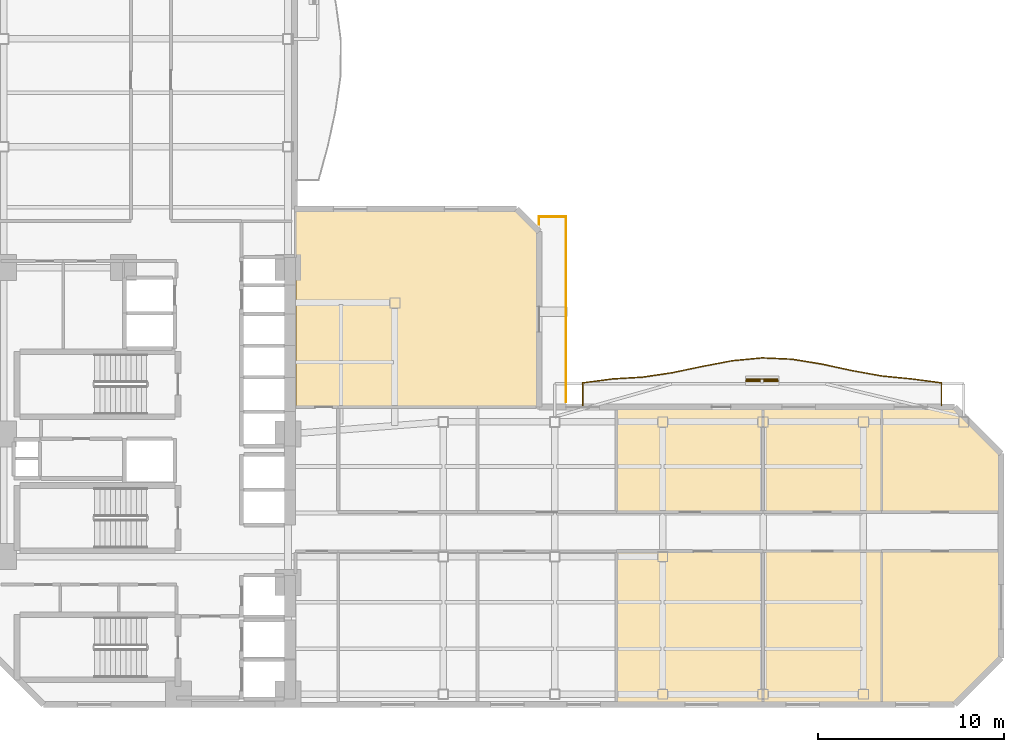
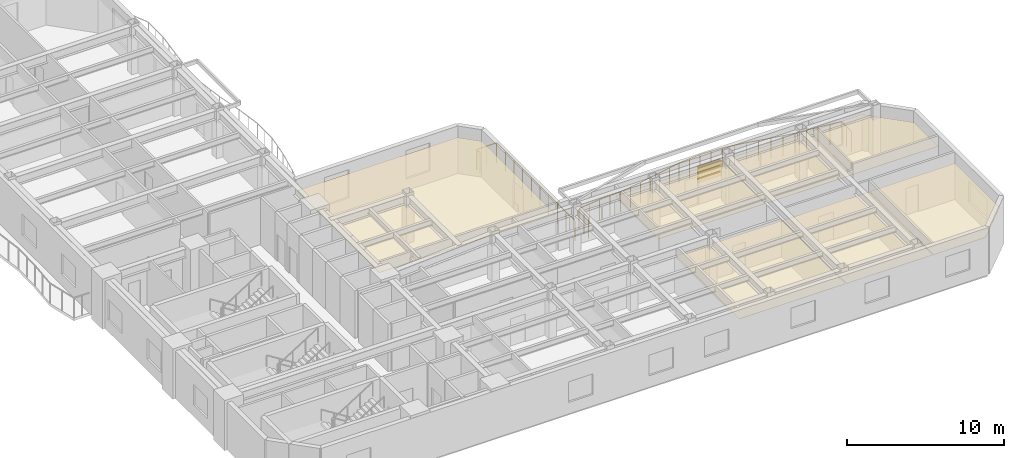
# One storey, part 9 of 10: 7 coverings, 4 railings, 4 shading devices.
"""IFC4 building model written with IfcOpenShell, lengths in metres."""

from ifc_helpers import new_model, si_unit, direction, frame, origin, origin_2d, place, context, subcontext, project, spatial, polyline, rectangle, outline, extrude, material, layer, layer_set, material_profile, profile_set, type_object, element, save


model = new_model("IFC4")

# Units and contexts
model_context = context("Model", 3, precision=1e-05, world=origin(), true_north=direction((0.0, 1.0)))
body_context = subcontext(model_context, "Body", "Model", "MODEL_VIEW")
ifc_project = project(units=[si_unit("LENGTHUNIT", "METRE"), si_unit("AREAUNIT", "SQUARE_METRE"), si_unit("VOLUMEUNIT", "CUBIC_METRE"), si_unit("PLANEANGLEUNIT", "RADIAN"), si_unit("MASSUNIT", "GRAM", prefix="KILO")], contexts=[model_context])

# Site, building, storey
site_placement = place(None, origin())
site = spatial("IfcSite", under=ifc_project, at=site_placement, CompositionType="ELEMENT")
building_placement = place(site_placement, origin())
building = spatial("IfcBuilding", under=site, at=building_placement, Name="Mawjaban Terraces University", CompositionType="ELEMENT")
storey_placement = place(building_placement, frame((0.0, 0.0, 62.199951171875)))
storey = spatial("IfcBuildingStorey", under=building, at=storey_placement, Name="L14", CompositionType="ELEMENT", Elevation=62.199951171875)

# Coverings
ifc_material_1 = material(Name="Acoustic mineral fibre ceiling tile", Category="masonry")
ifc_layer_1 = layer(ifc_material_1, 0.02001953125)
ifc_layer_set_1 = layer_set([ifc_layer_1], Name="Acoustic mineral fibre ceiling tile")
covering_type = type_object("IfcCoveringType", Name="AcousticMineralCeiling_20", PredefinedType="CEILING", material=ifc_layer_set_1)
covering_1_placement = place(storey_placement, frame((0.0, 0.0, 2.75)))
element("IfcCovering", 1, at=covering_1_placement, inside=storey, type_object=covering_type, Name="L14 Design Studio 6 Acoustic Ceiling", PredefinedType="CEILING", context=body_context, shape_type="SweptSolid", body=[
    extrude(outline(polyline([(55.35302734375, 0.114990234375), (63.169921875, 0.114990234375), (63.169921875, 8.219970703125), (55.35302734375, 8.219970703125), (55.35302734375, 0.114990234375)])), origin(), (0.0, 0.0, 1.0), 0.02001953125),
])
covering_2_placement = place(storey_placement, frame((0.0, 0.0, 2.75)))
element("IfcCovering", 2, at=covering_2_placement, inside=storey, type_object=covering_type, Name="L14 Computational Laboratory 7 Acoustic Ceiling", PredefinedType="CEILING", context=body_context, shape_type="SweptSolid", body=[
    extrude(outline(polyline([(63.169921875, 15.885009765625), (55.35302734375, 15.885009765625), (55.35302734375, 10.3798828125), (63.169921875, 10.3798828125), (63.169921875, 15.885009765625)])), origin(), (0.0, 0.0, 1.0), 0.02001953125),
])
covering_3_placement = place(storey_placement, frame((0.0, 0.0, 2.75)))
element("IfcCovering", 3, at=covering_3_placement, inside=storey, type_object=covering_type, Name="L14 Teaching Laboratory 8 Acoustic Ceiling", PredefinedType="CEILING", context=body_context, shape_type="SweptSolid", body=[
    extrude(outline(polyline([(63.22998046875, 0.114990234375), (69.552978515625, 0.114990234375), (69.552978515625, 8.219970703125), (63.22998046875, 8.219970703125), (63.22998046875, 0.114990234375)])), origin(), (0.0, 0.0, 1.0), 0.02001953125),
])
covering_4_placement = place(storey_placement, frame((0.0, 0.0, 2.75)))
element("IfcCovering", 4, at=covering_4_placement, inside=storey, type_object=covering_type, Name="L14 Student Tea Pantry 9 Acoustic Ceiling", PredefinedType="CEILING", context=body_context, shape_type="SweptSolid", body=[
    extrude(outline(polyline([(69.552978515625, 15.885009765625), (63.22998046875, 15.885009765625), (63.22998046875, 10.3798828125), (69.552978515625, 10.3798828125), (69.552978515625, 15.885009765625)])), origin(), (0.0, 0.0, 1.0), 0.02001953125),
])
covering_5_placement = place(storey_placement, frame((0.0, 0.0, 2.75)))
element("IfcCovering", 5, at=covering_5_placement, inside=storey, type_object=covering_type, Name="L14 Student Tea Pantry 10 Acoustic Ceiling", PredefinedType="CEILING", context=body_context, shape_type="SweptSolid", body=[
    extrude(outline(polyline([(69.613037109375, 0.114990234375), (73.452880859375, 0.114990234375), (75.885009765625, 2.547119140625), (75.885009765625, 8.219970703125), (69.613037109375, 8.219970703125), (69.613037109375, 0.114990234375)])), origin(), (0.0, 0.0, 1.0), 0.02001953125),
])
covering_6_placement = place(storey_placement, frame((0.0, 0.0, 2.75)))
element("IfcCovering", 6, at=covering_6_placement, inside=storey, type_object=covering_type, Name="L14 Faculty Office 11 Acoustic Ceiling", PredefinedType="CEILING", context=body_context, shape_type="SweptSolid", body=[
    extrude(outline(polyline([(75.885009765625, 10.3798828125), (75.885009765625, 13.452880859375), (73.452880859375, 15.885009765625), (69.613037109375, 15.885009765625), (69.613037109375, 10.3798828125), (75.885009765625, 10.3798828125)])), origin(), (0.0, 0.0, 1.0), 0.02001953125),
])
covering_7_placement = place(storey_placement, frame((0.0, 0.0, 2.75)))
element("IfcCovering", 7, at=covering_7_placement, inside=storey, type_object=covering_type, Name="L14 Terrace Collaborative Study Room Acoustic Ceiling", PredefinedType="CEILING", context=body_context, shape_type="SweptSolid", body=[
    extrude(outline(polyline([(51.034912109375, 16.030029296875), (51.034912109375, 25.39501953125), (49.903076171875, 26.527099609375), (38.080078125, 26.527099609375), (38.080078125, 16.030029296875), (51.034912109375, 16.030029296875)])), origin(), (0.0, 0.0, 1.0), 0.02001953125),
])

# Railings
ifc_material_2 = material(Name="Galvanised powder-coated steel S355", Category="steel")
railing_type = type_object("IfcRailingType", Name="BalconyBalustrade_1600", PredefinedType="BALUSTRADE", material=ifc_material_2)
railing_1_placement = place(storey_placement, frame((53.5, 16.080078125, 0.0)))
element("IfcRailing", 8, at=railing_1_placement, inside=storey, type_object=railing_type, Name="L14 Balcony Guardrail inner_north", PredefinedType="BALUSTRADE", context=body_context, shape_type="SweptSolid", body=[
    extrude(rectangle(XDim=0.048095703125, YDim=0.048095703125, at=origin_2d()), frame((0.0, 0.0, 1.576171875), z_axis=(0.0, 1.0, 0.0), x_axis=(-1.0, 0.0, 0.0)), (0.0, 0.0, 1.0), 1.219970703125),
    extrude(rectangle(XDim=0.048095703125, YDim=0.048095703125, at=origin_2d()), frame((0.0, 1.219970703125, 1.576171875), z_axis=(0.991269914877, 0.131848230403, 0.0), x_axis=(-0.131848230403, 0.991269914877, 0.0)), (0.0, 0.0, 1.0), 1.6220703125),
    extrude(rectangle(XDim=0.048095703125, YDim=0.048095703125, at=origin_2d()), frame((1.60791015625, 1.433837890625, 1.576171875), z_axis=(0.998262864111, 0.058917350044, 0.0), x_axis=(-0.058917350044, 0.998262864111, 0.0)), (0.0, 0.0, 1.0), 1.61181640625),
    extrude(rectangle(XDim=0.048095703125, YDim=0.048095703125, at=origin_2d()), frame((3.217041015625, 1.52880859375, 1.576171875), z_axis=(0.989131576527, 0.147033072186, 0.0), x_axis=(-0.147033072186, 0.989131576527, 0.0)), (0.0, 0.0, 1.0), 1.62548828125),
    extrude(rectangle(XDim=0.048095703125, YDim=0.048095703125, at=origin_2d()), frame((4.824951171875, 1.767822265625, 1.576171875), z_axis=(0.978840489494, 0.204624769096, 0.0), x_axis=(-0.204624769096, 0.978840489494, 0.0)), (0.0, 0.0, 1.0), 1.642822265625),
    extrude(rectangle(XDim=0.048095703125, YDim=0.048095703125, at=origin_2d()), frame((6.43310546875, 2.10400390625, 1.576171875), z_axis=(0.982070167431, 0.188515745341, 0.0), x_axis=(-0.188515745341, 0.982070167431, 0.0)), (0.0, 0.0, 1.0), 1.63818359375),
    extrude(rectangle(XDim=0.048095703125, YDim=0.048095703125, at=origin_2d()), frame((8.0419921875, 2.412841796875, 1.576171875), z_axis=(0.995555735115, 0.094174191159, 0.0), x_axis=(-0.094174191159, 0.995555735115, 0.0)), (0.0, 0.0, 1.0), 1.614990234375),
    extrude(rectangle(XDim=0.048095703125, YDim=0.048095703125, at=origin_2d()), frame((9.64990234375, 2.56494140625, 1.576171875), z_axis=(0.999025581507, -0.04413487843, 0.0), x_axis=(0.04413487843, 0.999025581507, 0.0)), (0.0, 0.0, 1.0), 1.609619140625),
    extrude(rectangle(XDim=0.048095703125, YDim=0.048095703125, at=origin_2d()), frame((11.258056640625, 2.493896484375, 1.576171875), z_axis=(0.986811592467, -0.161873039675, 0.0), x_axis=(0.161873039675, 0.986811592467, 0.0)), (0.0, 0.0, 1.0), 1.63037109375),
    extrude(rectangle(XDim=0.048095703125, YDim=0.048095703125, at=origin_2d()), frame((12.866943359375, 2.22998046875, 1.576171875), z_axis=(0.977634859914, -0.210309487855, 0.0), x_axis=(0.210309487855, 0.977634859914, 0.0)), (0.0, 0.0, 1.0), 1.64501953125),
    extrude(rectangle(XDim=0.048095703125, YDim=0.048095703125, at=origin_2d()), frame((14.47509765625, 1.884033203125, 1.576171875), z_axis=(0.983908132449, -0.17867508752, 0.0), x_axis=(0.17867508752, 0.983908132449, 0.0)), (0.0, 0.0, 1.0), 1.63427734375),
    extrude(rectangle(XDim=0.048095703125, YDim=0.048095703125, at=origin_2d()), frame((16.0830078125, 1.592041015625, 1.576171875), z_axis=(0.995141298665, -0.098457075376, 0.0), x_axis=(0.098457075376, 0.995141298665, 0.0)), (0.0, 0.0, 1.0), 1.61669921875),
    extrude(rectangle(XDim=0.048095703125, YDim=0.048095703125, at=origin_2d()), frame((17.69189453125, 1.432861328125, 1.576171875), z_axis=(0.99135102305, -0.131236995916, 0.0), x_axis=(0.131236995916, 0.99135102305, 0.0)), (0.0, 0.0, 1.0), 1.6220703125),
    extrude(rectangle(XDim=0.048095703125, YDim=0.048095703125, at=origin_2d()), frame((19.300048828125, 1.219970703125, 1.576171875), z_axis=(0.0, -1.0, 0.0), x_axis=(1.0, 0.0, 0.0)), (0.0, 0.0, 1.0), 1.219970703125),
    extrude(rectangle(XDim=0.0419921875, YDim=0.0419921875, at=origin_2d()), origin(), (0.0, 0.0, 1.0), 1.552001953125),
    extrude(rectangle(XDim=0.0419921875, YDim=0.0419921875, at=origin_2d()), frame((0.0, 0.60986328125, 0.0)), (0.0, 0.0, 1.0), 1.552001953125),
    extrude(rectangle(XDim=0.0419921875, YDim=0.0419921875, at=origin_2d()), frame((0.0, 1.219970703125, 0.0)), (0.0, 0.0, 1.0), 1.552001953125),
    extrude(rectangle(XDim=0.0419921875, YDim=0.0419921875, at=origin_2d()), frame((0.803955078125, 1.326904296875, 0.0)), (0.0, 0.0, 1.0), 1.552001953125),
    extrude(rectangle(XDim=0.0419921875, YDim=0.0419921875, at=origin_2d()), frame((1.60791015625, 1.433837890625, 0.0)), (0.0, 0.0, 1.0), 1.552001953125),
    extrude(rectangle(XDim=0.0419921875, YDim=0.0419921875, at=origin_2d()), frame((2.41259765625, 1.4814453125, 0.0)), (0.0, 0.0, 1.0), 1.552001953125),
    extrude(rectangle(XDim=0.0419921875, YDim=0.0419921875, at=origin_2d()), frame((3.217041015625, 1.52880859375, 0.0)), (0.0, 0.0, 1.0), 1.552001953125),
    extrude(rectangle(XDim=0.0419921875, YDim=0.0419921875, at=origin_2d()), frame((4.02099609375, 1.6484375, 0.0)), (0.0, 0.0, 1.0), 1.552001953125),
    extrude(rectangle(XDim=0.0419921875, YDim=0.0419921875, at=origin_2d()), frame((4.824951171875, 1.767822265625, 0.0)), (0.0, 0.0, 1.0), 1.552001953125),
    extrude(rectangle(XDim=0.0419921875, YDim=0.0419921875, at=origin_2d()), frame((5.62890625, 1.93603515625, 0.0)), (0.0, 0.0, 1.0), 1.552001953125),
    extrude(rectangle(XDim=0.0419921875, YDim=0.0419921875, at=origin_2d()), frame((6.43310546875, 2.10400390625, 0.0)), (0.0, 0.0, 1.0), 1.552001953125),
    extrude(rectangle(XDim=0.0419921875, YDim=0.0419921875, at=origin_2d()), frame((7.237548828125, 2.25830078125, 0.0)), (0.0, 0.0, 1.0), 1.552001953125),
    extrude(rectangle(XDim=0.0419921875, YDim=0.0419921875, at=origin_2d()), frame((8.0419921875, 2.412841796875, 0.0)), (0.0, 0.0, 1.0), 1.552001953125),
    extrude(rectangle(XDim=0.0419921875, YDim=0.0419921875, at=origin_2d()), frame((8.845947265625, 2.48876953125, 0.0)), (0.0, 0.0, 1.0), 1.552001953125),
    extrude(rectangle(XDim=0.0419921875, YDim=0.0419921875, at=origin_2d()), frame((9.64990234375, 2.56494140625, 0.0)), (0.0, 0.0, 1.0), 1.552001953125),
    extrude(rectangle(XDim=0.0419921875, YDim=0.0419921875, at=origin_2d()), frame((10.4541015625, 2.529296875, 0.0)), (0.0, 0.0, 1.0), 1.552001953125),
    extrude(rectangle(XDim=0.0419921875, YDim=0.0419921875, at=origin_2d()), frame((11.258056640625, 2.493896484375, 0.0)), (0.0, 0.0, 1.0), 1.552001953125),
    extrude(rectangle(XDim=0.0419921875, YDim=0.0419921875, at=origin_2d()), frame((12.0625, 2.36181640625, 0.0)), (0.0, 0.0, 1.0), 1.552001953125),
    extrude(rectangle(XDim=0.0419921875, YDim=0.0419921875, at=origin_2d()), frame((12.866943359375, 2.22998046875, 0.0)), (0.0, 0.0, 1.0), 1.552001953125),
    extrude(rectangle(XDim=0.0419921875, YDim=0.0419921875, at=origin_2d()), frame((13.6708984375, 2.05712890625, 0.0)), (0.0, 0.0, 1.0), 1.552001953125),
    extrude(rectangle(XDim=0.0419921875, YDim=0.0419921875, at=origin_2d()), frame((14.47509765625, 1.884033203125, 0.0)), (0.0, 0.0, 1.0), 1.552001953125),
    extrude(rectangle(XDim=0.0419921875, YDim=0.0419921875, at=origin_2d()), frame((15.279052734375, 1.738037109375, 0.0)), (0.0, 0.0, 1.0), 1.552001953125),
    extrude(rectangle(XDim=0.0419921875, YDim=0.0419921875, at=origin_2d()), frame((16.0830078125, 1.592041015625, 0.0)), (0.0, 0.0, 1.0), 1.552001953125),
    extrude(rectangle(XDim=0.0419921875, YDim=0.0419921875, at=origin_2d()), frame((16.887451171875, 1.512451171875, 0.0)), (0.0, 0.0, 1.0), 1.552001953125),
    extrude(rectangle(XDim=0.0419921875, YDim=0.0419921875, at=origin_2d()), frame((17.69189453125, 1.432861328125, 0.0)), (0.0, 0.0, 1.0), 1.552001953125),
    extrude(rectangle(XDim=0.0419921875, YDim=0.0419921875, at=origin_2d()), frame((18.49609375, 1.326416015625, 0.0)), (0.0, 0.0, 1.0), 1.552001953125),
    extrude(rectangle(XDim=0.0419921875, YDim=0.0419921875, at=origin_2d()), frame((19.300048828125, 1.219970703125, 0.0)), (0.0, 0.0, 1.0), 1.552001953125),
    extrude(rectangle(XDim=0.0419921875, YDim=0.0419921875, at=origin_2d()), frame((19.300048828125, 0.60986328125, 0.0)), (0.0, 0.0, 1.0), 1.552001953125),
    extrude(rectangle(XDim=0.0419921875, YDim=0.0419921875, at=origin_2d()), frame((19.300048828125, 0.0, 0.0)), (0.0, 0.0, 1.0), 1.552001953125),
])
railing_2_placement = place(storey_placement, frame((52.60009765625, 16.280029296875, 0.0)))
element("IfcRailing", 9, at=railing_2_placement, inside=storey, type_object=railing_type, Name="L14 Terrace Guardrail TER-L14-CLIMB.1", PredefinedType="BALUSTRADE", context=body_context, shape_type="SweptSolid", body=[
    extrude(rectangle(XDim=0.048095703125, YDim=0.048095703125, at=origin_2d()), frame((0.0, 0.0, 1.576171875), z_axis=(0.0, 1.0, 0.0), x_axis=(-1.0, 0.0, 0.0)), (0.0, 0.0, 1.0), 9.9619140625),
    extrude(rectangle(XDim=0.0419921875, YDim=0.0419921875, at=origin_2d()), origin(), (0.0, 0.0, 1.0), 1.552001953125),
    extrude(rectangle(XDim=0.0419921875, YDim=0.0419921875, at=origin_2d()), frame((0.0, 1.10693359375, 0.0)), (0.0, 0.0, 1.0), 1.552001953125),
    extrude(rectangle(XDim=0.0419921875, YDim=0.0419921875, at=origin_2d()), frame((0.0, 2.2138671875, 0.0)), (0.0, 0.0, 1.0), 1.552001953125),
    extrude(rectangle(XDim=0.0419921875, YDim=0.0419921875, at=origin_2d()), frame((0.0, 3.320556640625, 0.0)), (0.0, 0.0, 1.0), 1.552001953125),
    extrude(rectangle(XDim=0.0419921875, YDim=0.0419921875, at=origin_2d()), frame((0.0, 4.427490234375, 0.0)), (0.0, 0.0, 1.0), 1.552001953125),
    extrude(rectangle(XDim=0.0419921875, YDim=0.0419921875, at=origin_2d()), frame((0.0, 5.534423828125, 0.0)), (0.0, 0.0, 1.0), 1.552001953125),
    extrude(rectangle(XDim=0.0419921875, YDim=0.0419921875, at=origin_2d()), frame((0.0, 6.641357421875, 0.0)), (0.0, 0.0, 1.0), 1.552001953125),
    extrude(rectangle(XDim=0.0419921875, YDim=0.0419921875, at=origin_2d()), frame((0.0, 7.748046875, 0.0)), (0.0, 0.0, 1.0), 1.552001953125),
    extrude(rectangle(XDim=0.0419921875, YDim=0.0419921875, at=origin_2d()), frame((0.0, 8.85498046875, 0.0)), (0.0, 0.0, 1.0), 1.552001953125),
    extrude(rectangle(XDim=0.0419921875, YDim=0.0419921875, at=origin_2d()), frame((0.0, 9.9619140625, 0.0)), (0.0, 0.0, 1.0), 1.552001953125),
])
railing_3_placement = place(storey_placement, frame((52.60009765625, 26.241943359375, 0.0)))
element("IfcRailing", 10, at=railing_3_placement, inside=storey, type_object=railing_type, Name="L14 Terrace Guardrail TER-L14-CLIMB.2", PredefinedType="BALUSTRADE", context=body_context, shape_type="SweptSolid", body=[
    extrude(rectangle(XDim=0.048095703125, YDim=0.048095703125, at=origin_2d()), frame((0.0, 0.0, 1.576171875), z_axis=(-1.0, 0.0, 0.0), x_axis=(0.0, -1.0, 0.0)), (0.0, 0.0, 1.0), 1.4501953125),
    extrude(rectangle(XDim=0.0419921875, YDim=0.0419921875, at=origin_2d()), origin(), (0.0, 0.0, 1.0), 1.552001953125),
    extrude(rectangle(XDim=0.0419921875, YDim=0.0419921875, at=origin_2d()), frame((-0.72509765625, 0.0, 0.0)), (0.0, 0.0, 1.0), 1.552001953125),
    extrude(rectangle(XDim=0.0419921875, YDim=0.0419921875, at=origin_2d()), frame((-1.4501953125, 0.0, 0.0)), (0.0, 0.0, 1.0), 1.552001953125),
])
railing_4_placement = place(storey_placement, frame((51.14990234375, 26.241943359375, 0.0)))
element("IfcRailing", 11, at=railing_4_placement, inside=storey, type_object=railing_type, Name="L14 Terrace Guardrail TER-L14-CLIMB.3", PredefinedType="BALUSTRADE", context=body_context, shape_type="SweptSolid", body=[
    extrude(rectangle(XDim=0.048095703125, YDim=0.048095703125, at=origin_2d()), frame((0.0, 0.0, 1.576171875), z_axis=(0.0, -1.0, 0.0), x_axis=(1.0, 0.0, 0.0)), (0.0, 0.0, 1.0), 0.404052734375),
    extrude(rectangle(XDim=0.0419921875, YDim=0.0419921875, at=origin_2d()), origin(), (0.0, 0.0, 1.0), 1.552001953125),
    extrude(rectangle(XDim=0.0419921875, YDim=0.0419921875, at=origin_2d()), frame((0.0, -0.404052734375, 0.0)), (0.0, 0.0, 1.0), 1.552001953125),
])

# Shading devices
ifc_material_3 = material(Name="Glazed architectural terracotta ceramic", Category="masonry")
ifc_material_profile = material_profile(ifc_material_3, rectangle(XDim=0.06494140625, YDim=0.110107421875, at=origin_2d()), Name="TBAG110X65")
ifc_profile_set = profile_set([ifc_material_profile], Name="Glazed architectural terracotta ceramic")
shading_device_type_1 = type_object("IfcShadingDeviceType", Name="TerracottaBaguette_110x65", PredefinedType="USERDEFINED", material=ifc_profile_set)
for number, where, z_axis, x_axis, name in (
    (12, (62.298095703125, 17.491943359375, 0.679931640625), (1.0, 0.0, 0.0), (0.0, 1.0, 0.0), "L14 Horizontal Terracotta Baguette inner_north.1"),
    (13, (62.298095703125, 17.491943359375, 1.150146484375), (1.0, 0.0, 0.0), (0.0, 1.0, 0.0), "L14 Horizontal Terracotta Baguette inner_north.2"),
    (14, (62.298095703125, 17.491943359375, 1.6201171875), (1.0, 0.0, 0.0), (0.0, 1.0, 0.0), "L14 Horizontal Terracotta Baguette inner_north.3"),
):
    element("IfcShadingDevice", number, at=place(storey_placement, frame(where, z_axis=z_axis, x_axis=x_axis)), inside=storey, type_object=shading_device_type_1, Name=name, ObjectType="BAGUETTE", PredefinedType="USERDEFINED", context=body_context, shape_type="SweptSolid", body=[
        extrude(rectangle(XDim=0.06494140625, YDim=0.110107421875, at=origin_2d()), origin(), (0.0, 0.0, 1.0), 1.699951171875),
    ])
ifc_layer_2 = layer(ifc_material_3, 0.080078125)
ifc_layer_set_2 = layer_set([ifc_layer_2], Name="Glazed architectural terracotta ceramic")
shading_device_type_2 = type_object("IfcShadingDeviceType", Name="TerracottaScreen_Perforated", PredefinedType="USERDEFINED", material=ifc_layer_set_2)
shading_device_placement = place(storey_placement, frame((63.14794921875, 17.406982421875, 0.440185546875), z_axis=(0.0, 0.0, 1.0), x_axis=(1.0, 0.0, 0.0)))
element("IfcShadingDevice", 15, at=shading_device_placement, inside=storey, type_object=shading_device_type_2, Name="L14 Balcony Perforated Terracotta Screen inner_north", ObjectType="SCREEN", PredefinedType="USERDEFINED", context=body_context, shape_type="SweptSolid", body=[
    extrude(rectangle(XDim=1.75, YDim=0.080078125, at=origin_2d()), origin(), (0.0, 0.0, 1.0), 1.14990234375),
])

save(model, "model.ifc")
